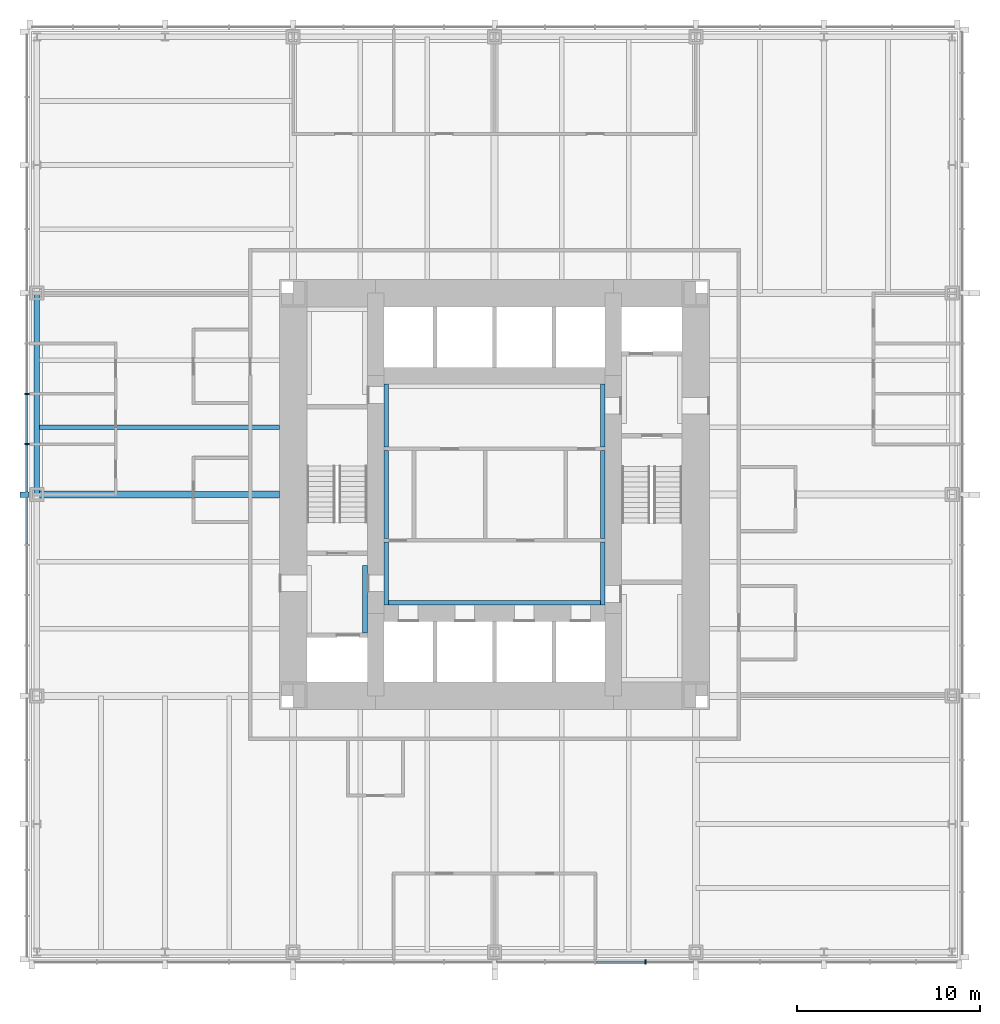
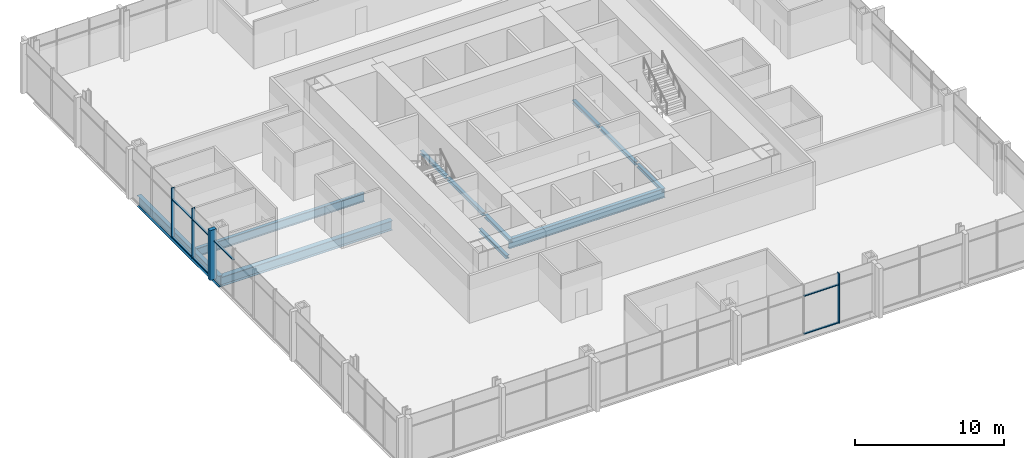
# One storey, part 3 of 12: 11 beams, 11 members, 2 elements without a shape of their own.
"""IFC4 building model written with IfcOpenShell, lengths in metres."""

import ifcopenshell
import ifcopenshell.guid

model = None  # the IFC model being written
_history = None  # IfcOwnerHistory: only IFC2X3 demands one
_inside = {}  # id of a spatial element -> (the spatial element, [elements in it])
_under = {}  # id of a project, library or spatial element -> (it, [spatial elements below it])
_declared = {}  # id of a project -> (the project, [libraries it declares])
_typed = {}  # id of a type object -> (the type object, [elements of that type])
_made_of = {}  # id of a material, layer set ... -> (it, [elements and type objects made of it])


def new_model(schema):
    """Start an empty IFC model of exactly this schema.

    Asked for "IFC4X3", IfcOpenShell would pick the latest addendum, in which some entities
    have other attributes; the version numbers below select the first issue.
    IFC2X3 requires an IfcOwnerHistory on every rooted entity: one is made here for all.
    """
    global model, _history
    if schema == "IFC4X3":
        model = ifcopenshell.file(schema_version=(4, 3, 0, 0))
    else:
        model = ifcopenshell.file(schema=schema)
    _inside.clear()
    _under.clear()
    _declared.clear()
    _typed.clear()
    _made_of.clear()
    _history = None
    if model.schema == "IFC2X3":
        org = make("IfcOrganization", Name="unknown")
        user = make(
            "IfcPersonAndOrganization",
            ThePerson=make("IfcPerson", FamilyName="unknown"),
            TheOrganization=org,
        )
        app = make(
            "IfcApplication",
            ApplicationDeveloper=org,
            Version="unknown",
            ApplicationFullName="unknown",
            ApplicationIdentifier="unknown",
        )
        _history = make(
            "IfcOwnerHistory",
            OwningUser=user,
            OwningApplication=app,
            ChangeAction="ADDED",
            CreationDate=0,
        )
    return model


def make(cls, **values):
    """One entity of the class cls with the attributes given. An attribute that is None is left unset."""
    return model.create_entity(
        cls, **{name: value for name, value in values.items() if value is not None}
    )


def rooted(cls, **values):
    """An entity with a GlobalId (a new one), such as an element, a storey or a relation."""
    return make(cls, GlobalId=ifcopenshell.guid.new(), OwnerHistory=_history, **values)


def si_unit(unit_type, name, prefix=None):
    """IfcSIUnit, for example si_unit("LENGTHUNIT", "METRE", prefix="MILLI")."""
    return make("IfcSIUnit", UnitType=unit_type, Prefix=prefix, Name=name)


def assignment(units):
    """IfcUnitAssignment: the units of a project."""
    return None if units is None else make("IfcUnitAssignment", Units=units)


def point(xyz):
    """IfcCartesianPoint."""
    return None if xyz is None else make("IfcCartesianPoint", Coordinates=xyz)


def direction(xyz):
    """IfcDirection."""
    return None if xyz is None else make("IfcDirection", DirectionRatios=xyz)


def frame(location, z_axis=None, x_axis=None):
    """IfcAxis2Placement3D, a coordinate frame: its origin and axes. An axis left out is left unset."""
    return make(
        "IfcAxis2Placement3D",
        Location=point(location),
        Axis=direction(z_axis),
        RefDirection=direction(x_axis),
    )


def frame_2d(location, x_axis=None):
    """IfcAxis2Placement2D, a coordinate frame in the plane: its origin and x axis."""
    return make(
        "IfcAxis2Placement2D", Location=point(location), RefDirection=direction(x_axis)
    )


def origin():
    """The frame at (0, 0, 0) with its axes left unset."""
    return frame((0.0, 0.0, 0.0))


def origin_2d():
    """The frame at (0, 0) in the plane with its x axis left unset."""
    return frame_2d((0.0, 0.0))


def place(relative_to, where):
    """IfcLocalPlacement: puts the frame where relative to a parent placement (None: the world)."""
    return make(
        "IfcLocalPlacement", PlacementRelTo=relative_to, RelativePlacement=where
    )


def context(
    kind, dimensions, precision=None, world=None, true_north=None, identifier=None
):
    """IfcGeometricRepresentationContext, for example the 3D "Model" context."""
    return make(
        "IfcGeometricRepresentationContext",
        ContextIdentifier=identifier,
        ContextType=kind,
        CoordinateSpaceDimension=dimensions,
        Precision=precision,
        WorldCoordinateSystem=world,
        TrueNorth=true_north,
    )


def subcontext(parent, identifier, kind, view, scale=None):
    """IfcGeometricRepresentationSubContext, for example "Body" below "Model"."""
    return make(
        "IfcGeometricRepresentationSubContext",
        ContextIdentifier=identifier,
        ContextType=kind,
        ParentContext=parent,
        TargetScale=scale,
        TargetView=view,
    )


def project(units=None, contexts=None):
    """IfcProject with its units and contexts."""
    return rooted(
        "IfcProject",
        Name="project",
        RepresentationContexts=contexts,
        UnitsInContext=assignment(units),
    )


def spatial(cls, under=None, at=None, **own):
    """A site, building, storey or space (cls), placed at a placement, below another one or the project."""
    s = rooted(cls, ObjectPlacement=at, **own)
    if under is not None:
        _under.setdefault(under.id(), (under, []))[1].append(s)
    return s


def profile(cls, at=None, kind="AREA", **sizes):
    """A parametric profile (cls). Its sizes go by their IFC names, for example OverallWidth=200.0."""
    return make(cls, ProfileType=kind, Position=at, **sizes)


def rectangle(**sizes):
    """IfcRectangleProfileDef."""
    return profile("IfcRectangleProfileDef", **sizes)


def i_section(**sizes):
    """IfcIShapeProfileDef."""
    return profile("IfcIShapeProfileDef", **sizes)


def extrude(swept, where, along, depth):
    """IfcExtrudedAreaSolid: the profile swept, set in the frame where, extruded along a direction by depth."""
    return make(
        "IfcExtrudedAreaSolid",
        SweptArea=swept,
        Position=where,
        ExtrudedDirection=direction(along),
        Depth=depth,
    )


def shape(context_of_items, identifier, shape_type, items):
    """IfcShapeRepresentation: the items that make up one representation, for example the "Body"."""
    return make(
        "IfcShapeRepresentation",
        ContextOfItems=context_of_items,
        RepresentationIdentifier=identifier,
        RepresentationType=shape_type,
        Items=items,
    )


def material(Name=None, Category=None):
    """IfcMaterial."""
    return make("IfcMaterial", Name=Name, Category=Category)


def material_profile(
    of_material, cross_section, Name=None, Category=None, Priority=None
):
    """IfcMaterialProfile: a cross section and its material."""
    return make(
        "IfcMaterialProfile",
        Name=Name,
        Material=of_material,
        Profile=cross_section,
        Priority=Priority,
        Category=Category,
    )


def profile_set(profiles, Name=None, composite=None):
    """IfcMaterialProfileSet."""
    return make(
        "IfcMaterialProfileSet",
        Name=Name,
        MaterialProfiles=profiles,
        CompositeProfile=composite,
    )


def made_of(thing, what):
    """Note that an element or type object is made of a material, layer set ...; save() writes the relation."""
    if what is not None:
        _made_of.setdefault(what.id(), (what, []))[1].append(thing)
    return thing


def type_object(cls, material=None, **own):
    """A type object (cls), such as IfcWallType, which elements share."""
    return made_of(rooted(cls, **own), material)


def element(
    cls,
    number,
    at=None,
    inside=None,
    cuts=None,
    type_object=None,
    material=None,
    context=None,
    identifier="Body",
    shape_type=None,
    held_by="IfcProductDefinitionShape",
    body=None,
    shapes=None,
    **own,
):
    """One element of the class cls, such as IfcWall. Its Tag is "e" and its number.

    at: its placement. inside: the storey or other place that contains it. cuts: it is an
    opening in that element (IfcRelVoidsElement). A single representation is given by context,
    identifier, shape_type and body (its items); several are given by shapes. held_by: the class
    of the entity that holds the representations. save() writes the other relations.
    """
    e = rooted(cls, Tag="e%d" % number, ObjectPlacement=at, **own)
    if body is not None:
        shapes = [shape(context, identifier, shape_type, body)]
    if shapes is not None:
        e.Representation = make(held_by, Representations=shapes)
    if inside is not None:
        _inside.setdefault(inside.id(), (inside, []))[1].append(e)
    if cuts is not None:
        rooted(
            "IfcRelVoidsElement", RelatingBuildingElement=cuts, RelatedOpeningElement=e
        )
    if type_object is not None:
        _typed.setdefault(type_object.id(), (type_object, []))[1].append(e)
    return made_of(e, material)


def aggregate(whole, parts):
    """IfcRelAggregates: a whole, such as a stair, and the parts it consists of."""
    return rooted("IfcRelAggregates", RelatingObject=whole, RelatedObjects=parts)


def save(model, path):
    """Write the relations noted so far, then the file.

    IfcRelAggregates (storeys below a building ...), IfcRelContainedInSpatialStructure (elements
    in a storey), IfcRelDefinesByType, IfcRelAssociatesMaterial and IfcRelDeclares: one each for
    every whole, place, type object, material and project.
    """
    for whole, parts in _under.values():
        aggregate(whole, parts)
    for where, things in _inside.values():
        rooted(
            "IfcRelContainedInSpatialStructure",
            RelatedElements=things,
            RelatingStructure=where,
        )
    for kind, things in _typed.values():
        rooted("IfcRelDefinesByType", RelatedObjects=things, RelatingType=kind)
    for what, things in _made_of.values():
        rooted("IfcRelAssociatesMaterial", RelatedObjects=things, RelatingMaterial=what)
    for by, libraries in _declared.values():
        rooted("IfcRelDeclares", RelatingContext=by, RelatedDefinitions=libraries)
    model.write(path)


model = new_model("IFC4")

# Units and contexts
model_context = context("Model", 3, precision=1e-05, world=origin(), true_north=direction((0.0, 1.0)))
body_context = subcontext(model_context, "Body", "Model", "MODEL_VIEW")
ifc_project = project(units=[si_unit("LENGTHUNIT", "METRE"), si_unit("AREAUNIT", "SQUARE_METRE"), si_unit("VOLUMEUNIT", "CUBIC_METRE"), si_unit("PLANEANGLEUNIT", "RADIAN"), si_unit("MASSUNIT", "GRAM", prefix="KILO")], contexts=[model_context])

# Site, building, storey
site_placement = place(None, origin())
site = spatial("IfcSite", under=ifc_project, at=site_placement, CompositionType="ELEMENT")
building_placement = place(site_placement, origin())
building = spatial("IfcBuilding", under=site, at=building_placement, Name="Trevanion Tower", CompositionType="ELEMENT")
storey_placement = place(building_placement, frame((0.0, 0.0, 61.10009765625)))
storey = spatial("IfcBuildingStorey", under=building, at=storey_placement, Name="L14", CompositionType="ELEMENT", Elevation=61.10009765625)

# Beam
ifc_material_1 = material(Name="Steel ASTM A992 Grade 50", Category="steel")
ifc_material_profile_1 = material_profile(ifc_material_1, i_section(OverallWidth=0.25390625, OverallDepth=0.700927734375, WebThickness=0.015380859375, FlangeThickness=0.02783203125, at=origin_2d()), Name="W27X129")
ifc_profile_set_1 = profile_set([ifc_material_profile_1], Name="Steel ASTM A992 Grade 50")
beam_type_1 = type_object("IfcBeamType", Name="B3 W27X129", PredefinedType="BEAM", material=ifc_profile_set_1)
beam_1_placement = place(storey_placement, frame((-11.75, 3.666748046875, -0.54052734375), z_axis=(-1.0, 0.0, 0.0), x_axis=(0.0, -1.0, 0.0)))
element("IfcBeam", 1, at=beam_1_placement, inside=storey, type_object=beam_type_1, Name="B3 L14", PredefinedType="BEAM", context=body_context, shape_type="SweptSolid", body=[
    extrude(i_section(OverallWidth=0.25390625, OverallDepth=0.700927734375, WebThickness=0.015380859375, FlangeThickness=0.02783203125, at=origin_2d()), origin(), (0.0, 0.0, 1.0), 13.25),
])

# Curtain wall, members
ifc_material_2 = material(Name="Aluminium and glass", Category="aluminium")
curtain_wall_type = type_object("IfcCurtainWallType", Name="CW1 curtain wall", PredefinedType="USERDEFINED", material=ifc_material_2)
curtain_wall_1_placement = place(storey_placement, origin())
curtain_wall_1 = element("IfcCurtainWall", 2, at=curtain_wall_1_placement, inside=storey, type_object=curtain_wall_type, Name="CW1 L14 2", ObjectType="UNITISED CURTAIN WALL", PredefinedType="USERDEFINED")
ifc_material_3 = material(Name="Aluminium extrusion, anodised bronze", Category="aluminium")
ifc_material_profile_2 = material_profile(ifc_material_3, rectangle(XDim=0.074951171875, YDim=0.25, at=origin_2d()), Name="CW1 mullion")
ifc_profile_set_2 = profile_set([ifc_material_profile_2], Name="Aluminium extrusion, anodised bronze")
member_type_1 = type_object("IfcMemberType", Name="CW1 mullion", PredefinedType="MULLION", material=ifc_profile_set_2)
member_1_placement = place(storey_placement, frame((-25.550048828125, 5.5, -0.190185546875), z_axis=(0.0, 0.0, 1.0), x_axis=(0.0, -1.0, 0.0)))
member_1 = element("IfcMember", 3, at=member_1_placement, type_object=member_type_1, Name="CW1 mullion 7", PredefinedType="MULLION", context=body_context, shape_type="SweptSolid", body=[
    extrude(rectangle(XDim=0.074951171875, YDim=0.25, at=origin_2d()), origin(), (0.0, 0.0, 1.0), 4.10009765625),
])
member_2_placement = place(storey_placement, frame((-25.550048828125, 2.75, -0.190185546875), z_axis=(0.0, 0.0, 1.0), x_axis=(0.0, -1.0, 0.0)))
member_2 = element("IfcMember", 4, at=member_2_placement, type_object=member_type_1, Name="CW1 mullion 8", PredefinedType="MULLION", context=body_context, shape_type="SweptSolid", body=[
    extrude(rectangle(XDim=0.074951171875, YDim=0.25, at=origin_2d()), origin(), (0.0, 0.0, 1.0), 4.10009765625),
])

# Curtain wall, member
curtain_wall_2_placement = place(storey_placement, origin())
curtain_wall_2 = element("IfcCurtainWall", 5, at=curtain_wall_2_placement, inside=storey, type_object=curtain_wall_type, Name="CW1 L14 3", ObjectType="UNITISED CURTAIN WALL", PredefinedType="USERDEFINED")
member_3_placement = place(storey_placement, frame((8.25, -25.550048828125, -0.190185546875), z_axis=(0.0, 0.0, 1.0), x_axis=(1.0, 0.0, 0.0)))
member_3 = element("IfcMember", 6, at=member_3_placement, type_object=member_type_1, Name="CW1 mullion 12", PredefinedType="MULLION", context=body_context, shape_type="SweptSolid", body=[
    extrude(rectangle(XDim=0.074951171875, YDim=0.25, at=origin_2d()), origin(), (0.0, 0.0, 1.0), 4.10009765625),
])

# Member
ifc_material_4 = material(Name="Aluminium extrusion, anodised bronze", Category="aluminium")
ifc_material_profile_3 = material_profile(ifc_material_4, rectangle(XDim=0.300048828125, YDim=0.5, at=origin_2d()), Name="CW1 pier mullion")
ifc_profile_set_3 = profile_set([ifc_material_profile_3], Name="Aluminium extrusion, anodised bronze")
member_type_2 = type_object("IfcMemberType", Name="CW1 pier mullion", PredefinedType="MULLION", material=ifc_profile_set_3)
member_4_placement = place(storey_placement, frame((-25.675048828125, 0.0, -0.190185546875), z_axis=(0.0, 0.0, 1.0), x_axis=(0.0, -1.0, 0.0)))
member_4 = element("IfcMember", 7, at=member_4_placement, type_object=member_type_2, Name="CW1 pier mullion 9", PredefinedType="MULLION", context=body_context, shape_type="SweptSolid", body=[
    extrude(rectangle(XDim=0.300048828125, YDim=0.5, at=origin_2d()), origin(), (0.0, 0.0, 1.0), 4.10009765625),
])

ifc_material_5 = material(Name="Aluminium extrusion, anodised bronze", Category="aluminium")
ifc_material_profile_4 = material_profile(ifc_material_5, rectangle(XDim=0.14990234375, YDim=0.074951171875, at=origin_2d()), Name="CW1 transom")
ifc_profile_set_4 = profile_set([ifc_material_profile_4], Name="Aluminium extrusion, anodised bronze")
member_type_3 = type_object("IfcMemberType", Name="CW1 transom", PredefinedType="USERDEFINED", material=ifc_profile_set_4)
member_5_placement = place(storey_placement, frame((-25.550048828125, 5.46240234375, -0.152587890625), z_axis=(0.0, -1.0, 0.0), x_axis=(1.0, 0.0, 0.0)))
member_5 = element("IfcMember", 8, at=member_5_placement, type_object=member_type_3, Name="CW1 transom 7.1", ObjectType="TRANSOM", PredefinedType="USERDEFINED", context=body_context, shape_type="SweptSolid", body=[
    extrude(rectangle(XDim=0.14990234375, YDim=0.074951171875, at=origin_2d()), origin(), (0.0, 0.0, 1.0), 2.6748046875),
])

member_6_placement = place(storey_placement, frame((-25.550048828125, 5.46240234375, 2.9599609375), z_axis=(0.0, -1.0, 0.0), x_axis=(1.0, 0.0, 0.0)))
member_6 = element("IfcMember", 9, at=member_6_placement, type_object=member_type_3, Name="CW1 transom 7.2", ObjectType="TRANSOM", PredefinedType="USERDEFINED", context=body_context, shape_type="SweptSolid", body=[
    extrude(rectangle(XDim=0.14990234375, YDim=0.074951171875, at=origin_2d()), origin(), (0.0, 0.0, 1.0), 2.6748046875),
])

member_7_placement = place(storey_placement, frame((-25.550048828125, 2.71240234375, -0.152587890625), z_axis=(0.0, -1.0, 0.0), x_axis=(1.0, 0.0, 0.0)))
member_7 = element("IfcMember", 10, at=member_7_placement, type_object=member_type_3, Name="CW1 transom 8.1", ObjectType="TRANSOM", PredefinedType="USERDEFINED", context=body_context, shape_type="SweptSolid", body=[
    extrude(rectangle(XDim=0.14990234375, YDim=0.074951171875, at=origin_2d()), origin(), (0.0, 0.0, 1.0), 2.5625),
])

member_8_placement = place(storey_placement, frame((-25.550048828125, 2.71240234375, 2.9599609375), z_axis=(0.0, -1.0, 0.0), x_axis=(1.0, 0.0, 0.0)))
member_8 = element("IfcMember", 11, at=member_8_placement, type_object=member_type_3, Name="CW1 transom 8.2", ObjectType="TRANSOM", PredefinedType="USERDEFINED", context=body_context, shape_type="SweptSolid", body=[
    extrude(rectangle(XDim=0.14990234375, YDim=0.074951171875, at=origin_2d()), origin(), (0.0, 0.0, 1.0), 2.5625),
])

member_9_placement = place(storey_placement, frame((-25.550048828125, -0.14990234375, 2.9599609375), z_axis=(0.0, -1.0, 0.0), x_axis=(1.0, 0.0, 0.0)))
member_9 = element("IfcMember", 12, at=member_9_placement, type_object=member_type_3, Name="CW1 transom 9.2", ObjectType="TRANSOM", PredefinedType="USERDEFINED", context=body_context, shape_type="SweptSolid", body=[
    extrude(rectangle(XDim=0.14990234375, YDim=0.074951171875, at=origin_2d()), origin(), (0.0, 0.0, 1.0), 2.5625),
])

aggregate(curtain_wall_1, [member_1, member_2, member_4, member_5, member_6, member_7, member_8, member_9])

member_10_placement = place(storey_placement, frame((5.53759765625, -25.550048828125, -0.152587890625), z_axis=(1.0, 0.0, 0.0), x_axis=(0.0, 1.0, 0.0)))
member_10 = element("IfcMember", 13, at=member_10_placement, type_object=member_type_3, Name="CW1 transom 11.1", ObjectType="TRANSOM", PredefinedType="USERDEFINED", context=body_context, shape_type="SweptSolid", body=[
    extrude(rectangle(XDim=0.14990234375, YDim=0.074951171875, at=origin_2d()), origin(), (0.0, 0.0, 1.0), 2.6748046875),
])

member_11_placement = place(storey_placement, frame((5.53759765625, -25.550048828125, 2.9599609375), z_axis=(1.0, 0.0, 0.0), x_axis=(0.0, 1.0, 0.0)))
member_11 = element("IfcMember", 14, at=member_11_placement, type_object=member_type_3, Name="CW1 transom 11.2", ObjectType="TRANSOM", PredefinedType="USERDEFINED", context=body_context, shape_type="SweptSolid", body=[
    extrude(rectangle(XDim=0.14990234375, YDim=0.074951171875, at=origin_2d()), origin(), (0.0, 0.0, 1.0), 2.6748046875),
])

aggregate(curtain_wall_2, [member_3, member_10, member_11])

# Beams
ifc_material_6 = material(Name="Steel ASTM A992 Grade 50", Category="steel")
ifc_material_profile_5 = material_profile(ifc_material_6, i_section(OverallWidth=0.381103515625, OverallDepth=0.77978515625, WebThickness=0.01806640625, FlangeThickness=0.0302734375, at=origin_2d()), Name="W30X191")
ifc_profile_set_5 = profile_set([ifc_material_profile_5], Name="Steel ASTM A992 Grade 50")
beam_type_2 = type_object("IfcBeamType", Name="G2 W30X191", PredefinedType="BEAM", material=ifc_profile_set_5)
beam_2_placement = place(storey_placement, frame((-11.75, 0.0, -0.580078125), z_axis=(-1.0, 0.0, 0.0), x_axis=(0.0, -1.0, 0.0)))
element("IfcBeam", 15, at=beam_2_placement, inside=storey, type_object=beam_type_2, Name="G2 L14", PredefinedType="BEAM", context=body_context, shape_type="SweptSolid", body=[
    extrude(i_section(OverallWidth=0.381103515625, OverallDepth=0.77978515625, WebThickness=0.01806640625, FlangeThickness=0.0302734375, at=origin_2d()), origin(), (0.0, 0.0, 1.0), 13.25),
])
ifc_material_7 = material(Name="Steel ASTM A992 Grade 50", Category="steel")
ifc_material_profile_6 = material_profile(ifc_material_7, i_section(OverallWidth=0.256591796875, OverallDepth=0.26416015625, WebThickness=0.011962890625, FlangeThickness=0.01953125, at=origin_2d()), Name="W10X68")
ifc_profile_set_6 = profile_set([ifc_material_profile_6], Name="Steel ASTM A992 Grade 50")
beam_type_3 = type_object("IfcBeamType", Name="LB1 W10X68", PredefinedType="BEAM", material=ifc_profile_set_6)
for number, where, z_axis, x_axis, name in (
    (16, (-5.921630859375, 2.60009765625, -0.332275390625), (0.0, 1.0, 0.0), (-1.0, 0.0, 0.0), "LB1 L14"),
    (17, (5.921630859375, 2.60009765625, -0.332275390625), (0.0, 1.0, 0.0), (-1.0, 0.0, 0.0), "LB1 L14"),
    (18, (-5.921630859375, -6.050048828125, -0.332275390625), (0.0, 1.0, 0.0), (-1.0, 0.0, 0.0), "LB1 L14"),
    (19, (5.921630859375, -6.050048828125, -0.332275390625), (0.0, 1.0, 0.0), (-1.0, 0.0, 0.0), "LB1 L14"),
):
    element("IfcBeam", number, at=place(storey_placement, frame(where, z_axis=z_axis, x_axis=x_axis)), inside=storey, type_object=beam_type_3, Name=name, PredefinedType="BEAM", context=body_context, shape_type="SweptSolid", body=[
        extrude(i_section(OverallWidth=0.256591796875, OverallDepth=0.26416015625, WebThickness=0.011962890625, FlangeThickness=0.01953125, at=origin_2d()), origin(), (0.0, 0.0, 1.0), 3.449951171875),
    ])
beam_3_placement = place(storey_placement, frame((-7.078369140625, -7.574951171875, -0.332275390625), z_axis=(0.0, 1.0, 0.0), x_axis=(-1.0, 0.0, 0.0)))
element("IfcBeam", 20, at=beam_3_placement, inside=storey, type_object=beam_type_3, Name="LB1 L14", PredefinedType="BEAM", context=body_context, shape_type="SweptSolid", body=[
    extrude(i_section(OverallWidth=0.256591796875, OverallDepth=0.26416015625, WebThickness=0.011962890625, FlangeThickness=0.01953125, at=origin_2d()), origin(), (0.0, 0.0, 1.0), 3.699951171875),
])
for number, where, z_axis, x_axis, name in (
    (21, (-5.921630859375, -2.39990234375, -0.332275390625), (0.0, 1.0, 0.0), (-1.0, 0.0, 0.0), "LB1 L14"),
    (22, (5.921630859375, -2.39990234375, -0.332275390625), (0.0, 1.0, 0.0), (-1.0, 0.0, 0.0), "LB1 L14"),
):
    element("IfcBeam", number, at=place(storey_placement, frame(where, z_axis=z_axis, x_axis=x_axis)), inside=storey, type_object=beam_type_3, Name=name, PredefinedType="BEAM", context=body_context, shape_type="SweptSolid", body=[
        extrude(i_section(OverallWidth=0.256591796875, OverallDepth=0.26416015625, WebThickness=0.011962890625, FlangeThickness=0.01953125, at=origin_2d()), origin(), (0.0, 0.0, 1.0), 4.7998046875),
    ])
ifc_material_8 = material(Name="Steel ASTM A992 Grade 50", Category="steel")
ifc_material_profile_7 = material_profile(ifc_material_8, i_section(OverallWidth=0.2666015625, OverallDepth=0.76953125, WebThickness=0.015625, FlangeThickness=0.025390625, at=origin_2d()), Name="W30X132")
ifc_profile_set_7 = profile_set([ifc_material_profile_7], Name="Steel ASTM A992 Grade 50")
beam_type_4 = type_object("IfcBeamType", Name="LB3 W30X132", PredefinedType="BEAM", material=ifc_profile_set_7)
beam_4_placement = place(storey_placement, frame((-6.050048828125, -5.91650390625, -0.5849609375), z_axis=(1.0, 0.0, 0.0), x_axis=(0.0, 1.0, 0.0)))
element("IfcBeam", 23, at=beam_4_placement, inside=storey, type_object=beam_type_4, Name="LB3 L14", PredefinedType="BEAM", context=body_context, shape_type="SweptSolid", body=[
    extrude(i_section(OverallWidth=0.2666015625, OverallDepth=0.76953125, WebThickness=0.015625, FlangeThickness=0.025390625, at=origin_2d()), origin(), (0.0, 0.0, 1.0), 12.10009765625),
])
ifc_material_9 = material(Name="Steel ASTM A992 Grade 50", Category="steel")
ifc_material_profile_8 = material_profile(ifc_material_9, i_section(OverallWidth=0.307373046875, OverallDepth=0.927001953125, WebThickness=0.01953125, FlangeThickness=0.031982421875, at=origin_2d()), Name="W36X194")
ifc_profile_set_8 = profile_set([ifc_material_profile_8], Name="Steel ASTM A992 Grade 50")
beam_type_5 = type_object("IfcBeamType", Name="SB2 W36X194", PredefinedType="SPANDREL", material=ifc_profile_set_8)
beam_5_placement = place(storey_placement, frame((-25.0, 11.0, -0.653564453125), z_axis=(0.0, -1.0, 0.0), x_axis=(1.0, 0.0, 0.0)))
element("IfcBeam", 24, at=beam_5_placement, inside=storey, type_object=beam_type_5, Name="SB2 L14", PredefinedType="SPANDREL", context=body_context, shape_type="SweptSolid", body=[
    extrude(i_section(OverallWidth=0.307373046875, OverallDepth=0.927001953125, WebThickness=0.01953125, FlangeThickness=0.031982421875, at=origin_2d()), origin(), (0.0, 0.0, 1.0), 11.0),
])

save(model, "model.ifc")
